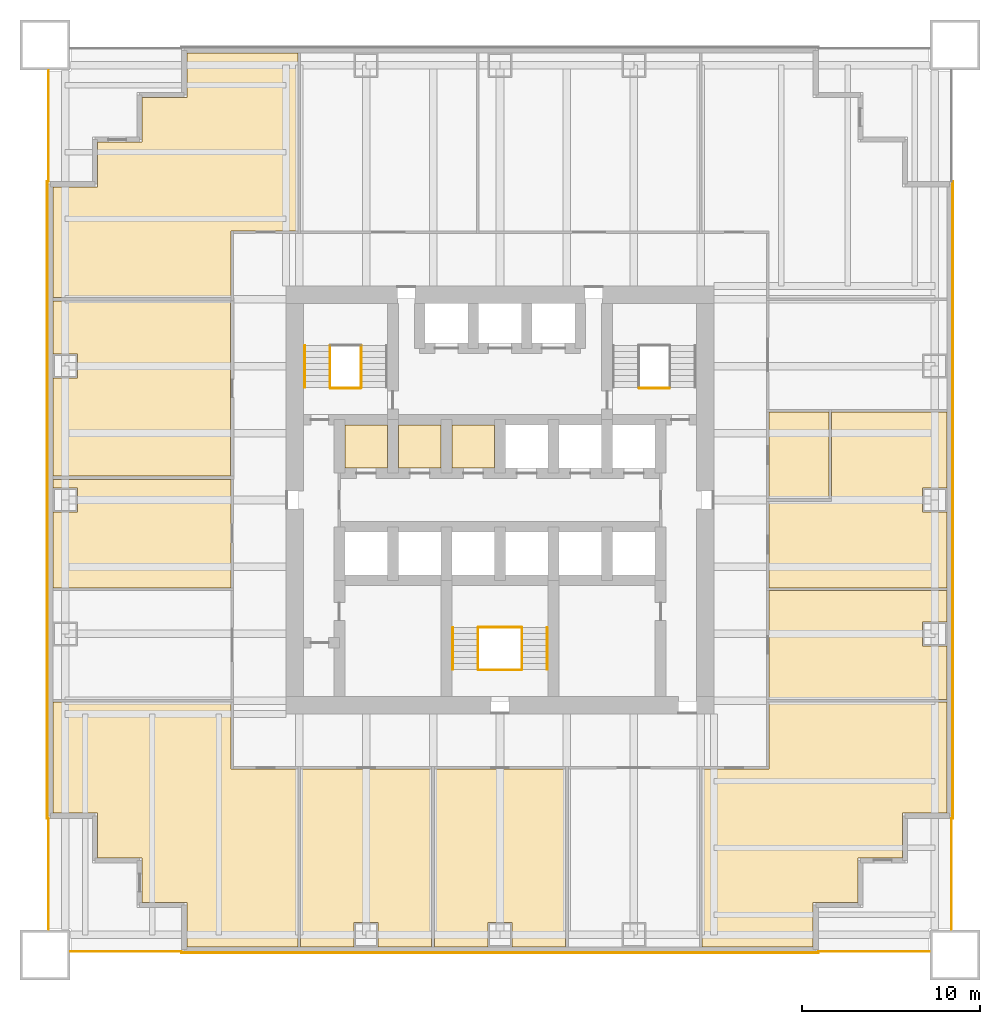
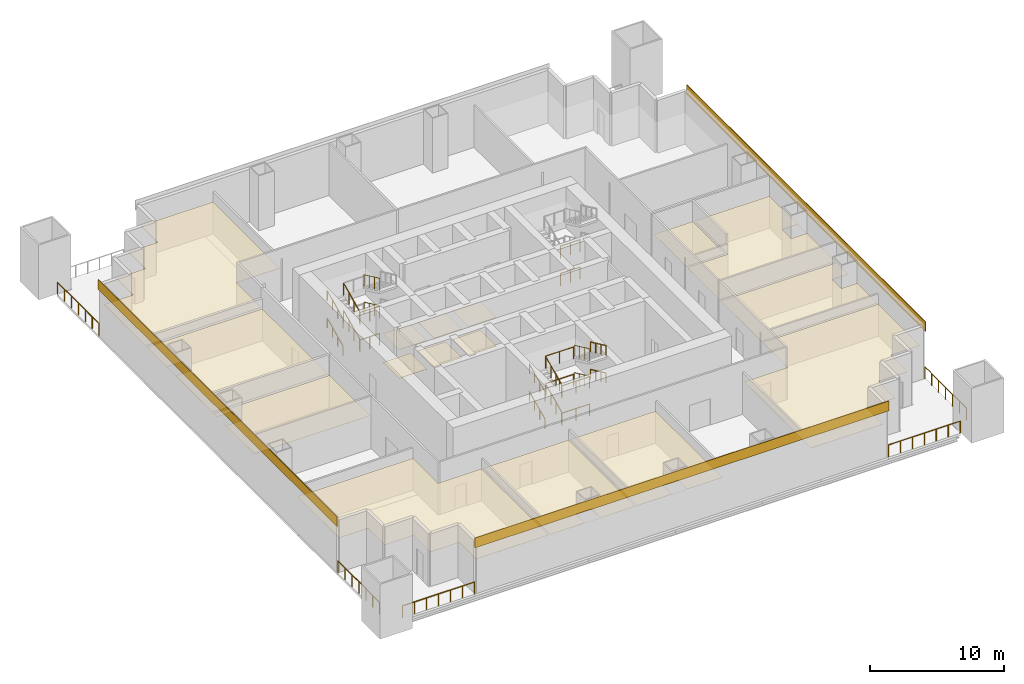
# One storey, part 5 of 6: 27 railings, 19 coverings.
"""IFC4 building model written with IfcOpenShell, lengths in metres."""

from ifc_helpers import new_model, si_unit, direction, frame, origin, origin_2d, place, context, subcontext, project, spatial, polyline, rectangle, circle, outline, extrude, material, layer, layer_set, type_object, element, save


model = new_model("IFC4")

# Units and contexts
model_context = context("Model", 3, precision=1e-05, world=origin(), true_north=direction((0.0, 1.0)))
body_context = subcontext(model_context, "Body", "Model", "MODEL_VIEW")
ifc_project = project(units=[si_unit("LENGTHUNIT", "METRE"), si_unit("AREAUNIT", "SQUARE_METRE"), si_unit("VOLUMEUNIT", "CUBIC_METRE"), si_unit("PLANEANGLEUNIT", "RADIAN"), si_unit("MASSUNIT", "GRAM", prefix="KILO")], contexts=[model_context])

# Site, building, storey
site_placement = place(None, origin())
site = spatial("IfcSite", under=ifc_project, at=site_placement, CompositionType="ELEMENT")
building_placement = place(site_placement, origin())
building = spatial("IfcBuilding", under=site, at=building_placement, Name="Tarangal Relay Tower", CompositionType="ELEMENT")
storey_placement = place(building_placement, frame((0.0, 0.0, 88.39990234375)))
storey = spatial("IfcBuildingStorey", under=building, at=storey_placement, Name="L17", CompositionType="ELEMENT", Elevation=88.39990234375)

# Coverings
ifc_material_1 = material(Name="Anti-static vinyl flooring", Category="plastic")
ifc_layer_1 = layer(ifc_material_1, 0.010009765625)
ifc_layer_set_1 = layer_set([ifc_layer_1], Name="Anti-static vinyl floor")
covering_type_1 = type_object("IfcCoveringType", Name="Anti-static vinyl floor", PredefinedType="FLOORING", material=ifc_layer_set_1)
covering_1_placement = place(storey_placement, origin())
element("IfcCovering", 1, at=covering_1_placement, inside=storey, type_object=covering_type_1, Name="Floor finish FL1 L17-D1", PredefinedType="FLOORING", context=body_context, shape_type="SweptSolid", body=[
    extrude(outline(polyline([(-8.699951171875, 1.800048828125), (-6.300048828125, 1.800048828125), (-6.300048828125, 4.199951171875), (-8.699951171875, 4.199951171875), (-8.699951171875, 1.800048828125)])), origin(), (0.0, 0.0, 1.0), 0.010009765625),
])
covering_2_placement = place(storey_placement, origin())
element("IfcCovering", 2, at=covering_2_placement, inside=storey, type_object=covering_type_1, Name="Floor finish FL1 L17-D2", PredefinedType="FLOORING", context=body_context, shape_type="SweptSolid", body=[
    extrude(outline(polyline([(-5.699951171875, 1.800048828125), (-3.300048828125, 1.800048828125), (-3.300048828125, 4.199951171875), (-5.699951171875, 4.199951171875), (-5.699951171875, 1.800048828125)])), origin(), (0.0, 0.0, 1.0), 0.010009765625),
])
covering_3_placement = place(storey_placement, origin())
element("IfcCovering", 3, at=covering_3_placement, inside=storey, type_object=covering_type_1, Name="Floor finish FL1 L17-D3", PredefinedType="FLOORING", context=body_context, shape_type="SweptSolid", body=[
    extrude(outline(polyline([(-2.699951171875, 1.800048828125), (-0.300048828125, 1.800048828125), (-0.300048828125, 4.199951171875), (-2.699951171875, 4.199951171875), (-2.699951171875, 1.800048828125)])), origin(), (0.0, 0.0, 1.0), 0.010009765625),
])
ifc_material_2 = material(Name="Black anodised aluminium cladding", Category="aluminium")
ifc_layer_2 = layer(ifc_material_2, 0.050048828125)
ifc_layer_set_2 = layer_set([ifc_layer_2], Name="Black metal spandrel band")
covering_type_2 = type_object("IfcCoveringType", Name="Black metal spandrel band", PredefinedType="CLADDING", material=ifc_layer_set_2)
for number, where, z_axis, x_axis, name in (
    (4, (25.375, 0.0, 4.250244140625), (0.0, 0.0, 1.0), (0.0, -1.0, 0.0), "Spandrel band SB1 E L17"),
    (5, (0.0, -25.375, 4.250244140625), (0.0, 0.0, 1.0), (-1.0, 0.0, 0.0), "Spandrel band SB1 S L17"),
    (6, (-25.375, 0.0, 4.250244140625), (0.0, 0.0, 1.0), (0.0, 1.0, 0.0), "Spandrel band SB1 W L17"),
):
    element("IfcCovering", number, at=place(storey_placement, frame(where, z_axis=z_axis, x_axis=x_axis)), inside=storey, type_object=covering_type_2, Name=name, PredefinedType="CLADDING", context=body_context, shape_type="SweptSolid", body=[
        extrude(rectangle(XDim=35.699951171875, YDim=0.050048828125, at=origin_2d()), origin(), (0.0, 0.0, 1.0), 0.89990234375),
    ])

# Railings
ifc_material_3 = material(Name="Steel guard, black finish", Category="steel")
railing_type_1 = type_object("IfcRailingType", Name="Stair guard 1100", PredefinedType="GUARDRAIL", material=ifc_material_3)
railing_1_placement = place(storey_placement, frame((-9.530029296875, 6.300048828125, 0.156494140625)))
element("IfcRailing", 7, at=railing_1_placement, inside=storey, type_object=railing_type_1, Name="Stair ST-A guard GR1 L17 flight 1", PredefinedType="GUARDRAIL", context=body_context, shape_type="SweptSolid", body=[
    extrude(circle(Radius=0.02392578125, at=origin_2d()), frame((0.0, 0.0, 1.076171875), z_axis=(0.0, 0.906303632821, 0.42262717037), x_axis=(-1.0, 0.0, 0.0)), (0.0, 0.0, 1.0), 2.58740234375),
    extrude(circle(Radius=0.02099609375, at=origin_2d()), origin(), (0.0, 0.0, 1.0), 1.052001953125),
    extrude(circle(Radius=0.02099609375, at=origin_2d()), frame((0.0, 0.78173828125, 0.364501953125)), (0.0, 0.0, 1.0), 1.052001953125),
    extrude(circle(Radius=0.02099609375, at=origin_2d()), frame((0.0, 1.563232421875, 0.72900390625)), (0.0, 0.0, 1.0), 1.052001953125),
    extrude(circle(Radius=0.02099609375, at=origin_2d()), frame((0.0, 2.344970703125, 1.093505859375)), (0.0, 0.0, 1.0), 1.052001953125),
])
railing_2_placement = place(storey_placement, frame((-7.77001953125, 8.64501953125, 1.406494140625)))
element("IfcRailing", 8, at=railing_2_placement, inside=storey, type_object=railing_type_1, Name="Stair ST-A guard GR1 L17 flight 2", PredefinedType="GUARDRAIL", context=body_context, shape_type="SweptSolid", body=[
    extrude(circle(Radius=0.02392578125, at=origin_2d()), frame((0.0, 0.0, 1.076171875), z_axis=(0.0, -0.906303632821, 0.42262717037), x_axis=(1.0, 0.0, 0.0)), (0.0, 0.0, 1.0), 2.58740234375),
    extrude(circle(Radius=0.02099609375, at=origin_2d()), origin(), (0.0, 0.0, 1.0), 1.052001953125),
    extrude(circle(Radius=0.02099609375, at=origin_2d()), frame((0.0, -0.78173828125, 0.364501953125)), (0.0, 0.0, 1.0), 1.052001953125),
    extrude(circle(Radius=0.02099609375, at=origin_2d()), frame((0.0, -1.563232421875, 0.72900390625)), (0.0, 0.0, 1.0), 1.052001953125),
    extrude(circle(Radius=0.02099609375, at=origin_2d()), frame((0.0, -2.344970703125, 1.093505859375)), (0.0, 0.0, 1.0), 1.052001953125),
])
railing_3_placement = place(storey_placement, frame((-9.530029296875, 6.300048828125, 2.656494140625)))
element("IfcRailing", 9, at=railing_3_placement, inside=storey, type_object=railing_type_1, Name="Stair ST-A guard GR1 L17 flight 3", PredefinedType="GUARDRAIL", context=body_context, shape_type="SweptSolid", body=[
    extrude(circle(Radius=0.02392578125, at=origin_2d()), frame((0.0, 0.0, 1.076171875), z_axis=(0.0, 0.906303632821, 0.42262717037), x_axis=(-1.0, 0.0, 0.0)), (0.0, 0.0, 1.0), 2.58740234375),
    extrude(circle(Radius=0.02099609375, at=origin_2d()), origin(), (0.0, 0.0, 1.0), 1.052001953125),
    extrude(circle(Radius=0.02099609375, at=origin_2d()), frame((0.0, 0.78173828125, 0.364501953125)), (0.0, 0.0, 1.0), 1.052001953125),
    extrude(circle(Radius=0.02099609375, at=origin_2d()), frame((0.0, 1.563232421875, 0.72900390625)), (0.0, 0.0, 1.0), 1.052001953125),
    extrude(circle(Radius=0.02099609375, at=origin_2d()), frame((0.0, 2.344970703125, 1.093505859375)), (0.0, 0.0, 1.0), 1.052001953125),
])
railing_4_placement = place(storey_placement, frame((-7.77001953125, 8.64501953125, 3.906494140625)))
element("IfcRailing", 10, at=railing_4_placement, inside=storey, type_object=railing_type_1, Name="Stair ST-A guard GR1 L17 flight 4", PredefinedType="GUARDRAIL", context=body_context, shape_type="SweptSolid", body=[
    extrude(circle(Radius=0.02392578125, at=origin_2d()), frame((0.0, 0.0, 1.076171875), z_axis=(0.0, -0.906303632821, 0.42262717037), x_axis=(1.0, 0.0, 0.0)), (0.0, 0.0, 1.0), 2.58740234375),
    extrude(circle(Radius=0.02099609375, at=origin_2d()), origin(), (0.0, 0.0, 1.0), 1.052001953125),
    extrude(circle(Radius=0.02099609375, at=origin_2d()), frame((0.0, -0.78173828125, 0.364501953125)), (0.0, 0.0, 1.0), 1.052001953125),
    extrude(circle(Radius=0.02099609375, at=origin_2d()), frame((0.0, -1.563232421875, 0.72900390625)), (0.0, 0.0, 1.0), 1.052001953125),
    extrude(circle(Radius=0.02099609375, at=origin_2d()), frame((0.0, -2.344970703125, 1.093505859375)), (0.0, 0.0, 1.0), 1.052001953125),
])
for number, where, name in (
    (11, (-9.5, 6.27001953125, 0.0), "Stair ST-A landing guard GR1 L17"),
    (12, (-9.5, 6.27001953125, 2.5), "Stair ST-A landing guard GR1 L17"),
    (13, (7.800048828125, 6.27001953125, 0.0), "Stair ST-B landing guard GR1 L17"),
    (14, (7.800048828125, 6.27001953125, 2.5), "Stair ST-B landing guard GR1 L17"),
):
    element("IfcRailing", number, at=place(storey_placement, frame(where)), inside=storey, type_object=railing_type_1, Name=name, PredefinedType="GUARDRAIL", context=body_context, shape_type="SweptSolid", body=[
        extrude(circle(Radius=0.02392578125, at=origin_2d()), frame((0.0, 0.0, 1.076171875), z_axis=(1.0, 0.0, 0.0), x_axis=(0.0, 1.0, 0.0)), (0.0, 0.0, 1.0), 1.699951171875),
        extrude(circle(Radius=0.02099609375, at=origin_2d()), origin(), (0.0, 0.0, 1.0), 1.052001953125),
        extrude(circle(Radius=0.02099609375, at=origin_2d()), frame((0.85009765625, 0.0, 0.0)), (0.0, 0.0, 1.0), 1.052001953125),
        extrude(circle(Radius=0.02099609375, at=origin_2d()), frame((1.699951171875, 0.0, 0.0)), (0.0, 0.0, 1.0), 1.052001953125),
    ])
railing_5_placement = place(storey_placement, frame((-1.22998046875, -9.5, 0.156494140625)))
element("IfcRailing", 15, at=railing_5_placement, inside=storey, type_object=railing_type_1, Name="Stair ST-C guard GR1 L17 flight 1", PredefinedType="GUARDRAIL", context=body_context, shape_type="SweptSolid", body=[
    extrude(circle(Radius=0.02392578125, at=origin_2d()), frame((0.0, 0.0, 1.076171875), z_axis=(0.0, 0.906303632821, 0.42262717037), x_axis=(-1.0, 0.0, 0.0)), (0.0, 0.0, 1.0), 2.58740234375),
    extrude(circle(Radius=0.02099609375, at=origin_2d()), origin(), (0.0, 0.0, 1.0), 1.052001953125),
    extrude(circle(Radius=0.02099609375, at=origin_2d()), frame((0.0, 0.78173828125, 0.364501953125)), (0.0, 0.0, 1.0), 1.052001953125),
    extrude(circle(Radius=0.02099609375, at=origin_2d()), frame((0.0, 1.563232421875, 0.72900390625)), (0.0, 0.0, 1.0), 1.052001953125),
    extrude(circle(Radius=0.02099609375, at=origin_2d()), frame((0.0, 2.344970703125, 1.093505859375)), (0.0, 0.0, 1.0), 1.052001953125),
])
railing_6_placement = place(storey_placement, frame((1.22998046875, -7.155029296875, 1.406494140625)))
element("IfcRailing", 16, at=railing_6_placement, inside=storey, type_object=railing_type_1, Name="Stair ST-C guard GR1 L17 flight 2", PredefinedType="GUARDRAIL", context=body_context, shape_type="SweptSolid", body=[
    extrude(circle(Radius=0.02392578125, at=origin_2d()), frame((0.0, 0.0, 1.076171875), z_axis=(0.0, -0.906303632821, 0.42262717037), x_axis=(1.0, 0.0, 0.0)), (0.0, 0.0, 1.0), 2.58740234375),
    extrude(circle(Radius=0.02099609375, at=origin_2d()), origin(), (0.0, 0.0, 1.0), 1.052001953125),
    extrude(circle(Radius=0.02099609375, at=origin_2d()), frame((0.0, -0.78173828125, 0.364501953125)), (0.0, 0.0, 1.0), 1.052001953125),
    extrude(circle(Radius=0.02099609375, at=origin_2d()), frame((0.0, -1.563232421875, 0.72900390625)), (0.0, 0.0, 1.0), 1.052001953125),
    extrude(circle(Radius=0.02099609375, at=origin_2d()), frame((0.0, -2.344970703125, 1.093505859375)), (0.0, 0.0, 1.0), 1.052001953125),
])
railing_7_placement = place(storey_placement, frame((-1.22998046875, -9.5, 2.656494140625)))
element("IfcRailing", 17, at=railing_7_placement, inside=storey, type_object=railing_type_1, Name="Stair ST-C guard GR1 L17 flight 3", PredefinedType="GUARDRAIL", context=body_context, shape_type="SweptSolid", body=[
    extrude(circle(Radius=0.02392578125, at=origin_2d()), frame((0.0, 0.0, 1.076171875), z_axis=(0.0, 0.906303632821, 0.42262717037), x_axis=(-1.0, 0.0, 0.0)), (0.0, 0.0, 1.0), 2.58740234375),
    extrude(circle(Radius=0.02099609375, at=origin_2d()), origin(), (0.0, 0.0, 1.0), 1.052001953125),
    extrude(circle(Radius=0.02099609375, at=origin_2d()), frame((0.0, 0.78173828125, 0.364501953125)), (0.0, 0.0, 1.0), 1.052001953125),
    extrude(circle(Radius=0.02099609375, at=origin_2d()), frame((0.0, 1.563232421875, 0.72900390625)), (0.0, 0.0, 1.0), 1.052001953125),
    extrude(circle(Radius=0.02099609375, at=origin_2d()), frame((0.0, 2.344970703125, 1.093505859375)), (0.0, 0.0, 1.0), 1.052001953125),
])
railing_8_placement = place(storey_placement, frame((1.22998046875, -7.155029296875, 3.906494140625)))
element("IfcRailing", 18, at=railing_8_placement, inside=storey, type_object=railing_type_1, Name="Stair ST-C guard GR1 L17 flight 4", PredefinedType="GUARDRAIL", context=body_context, shape_type="SweptSolid", body=[
    extrude(circle(Radius=0.02392578125, at=origin_2d()), frame((0.0, 0.0, 1.076171875), z_axis=(0.0, -0.906303632821, 0.42262717037), x_axis=(1.0, 0.0, 0.0)), (0.0, 0.0, 1.0), 2.58740234375),
    extrude(circle(Radius=0.02099609375, at=origin_2d()), origin(), (0.0, 0.0, 1.0), 1.052001953125),
    extrude(circle(Radius=0.02099609375, at=origin_2d()), frame((0.0, -0.78173828125, 0.364501953125)), (0.0, 0.0, 1.0), 1.052001953125),
    extrude(circle(Radius=0.02099609375, at=origin_2d()), frame((0.0, -1.563232421875, 0.72900390625)), (0.0, 0.0, 1.0), 1.052001953125),
    extrude(circle(Radius=0.02099609375, at=origin_2d()), frame((0.0, -2.344970703125, 1.093505859375)), (0.0, 0.0, 1.0), 1.052001953125),
])
for number, where, name in (
    (19, (-1.199951171875, -9.530029296875, 0.0), "Stair ST-C landing guard GR1 L17"),
    (20, (-1.199951171875, -7.125, 1.25), "Stair ST-C landing guard GR1 L17"),
    (21, (-1.199951171875, -9.530029296875, 2.5), "Stair ST-C landing guard GR1 L17"),
    (22, (-1.199951171875, -7.125, 3.75), "Stair ST-C landing guard GR1 L17"),
):
    element("IfcRailing", number, at=place(storey_placement, frame(where)), inside=storey, type_object=railing_type_1, Name=name, PredefinedType="GUARDRAIL", context=body_context, shape_type="SweptSolid", body=[
        extrude(circle(Radius=0.02392578125, at=origin_2d()), frame((0.0, 0.0, 1.076171875), z_axis=(1.0, 0.0, 0.0), x_axis=(0.0, 1.0, 0.0)), (0.0, 0.0, 1.0), 2.39990234375),
        extrude(circle(Radius=0.02099609375, at=origin_2d()), origin(), (0.0, 0.0, 1.0), 1.052001953125),
        extrude(circle(Radius=0.02099609375, at=origin_2d()), frame((1.199951171875, 0.0, 0.0)), (0.0, 0.0, 1.0), 1.052001953125),
        extrude(circle(Radius=0.02099609375, at=origin_2d()), frame((2.39990234375, 0.0, 0.0)), (0.0, 0.0, 1.0), 1.052001953125),
    ])
ifc_material_4 = material(Name="Steel handrail, black finish", Category="steel")
railing_type_2 = type_object("IfcRailingType", Name="Stair handrail 900", PredefinedType="HANDRAIL", material=ifc_material_4)
for number, where, name in (
    (23, (-10.93994140625, 6.300048828125, 0.156494140625), "Stair ST-A handrail HR1 L17 flight 1"),
    (24, (-10.93994140625, 6.300048828125, 2.656494140625), "Stair ST-A handrail HR1 L17 flight 3"),
    (25, (-2.639892578125, -9.5, 0.156494140625), "Stair ST-C handrail HR1 L17 flight 1"),
):
    element("IfcRailing", number, at=place(storey_placement, frame(where)), inside=storey, type_object=railing_type_2, Name=name, PredefinedType="HANDRAIL", context=body_context, shape_type="SweptSolid", body=[
        extrude(circle(Radius=0.02392578125, at=origin_2d()), frame((0.0, 0.0, 0.8759765625), z_axis=(0.0, 0.906303632821, 0.42262717037), x_axis=(-1.0, 0.0, 0.0)), (0.0, 0.0, 1.0), 2.58740234375),
        extrude(circle(Radius=0.02099609375, at=origin_2d()), origin(), (0.0, 0.0, 1.0), 0.851806640625),
        extrude(circle(Radius=0.02099609375, at=origin_2d()), frame((0.0, 0.78173828125, 0.364501953125)), (0.0, 0.0, 1.0), 0.851806640625),
        extrude(circle(Radius=0.02099609375, at=origin_2d()), frame((0.0, 1.563232421875, 0.72900390625)), (0.0, 0.0, 1.0), 0.851806640625),
        extrude(circle(Radius=0.02099609375, at=origin_2d()), frame((0.0, 2.344970703125, 1.093505859375)), (0.0, 0.0, 1.0), 0.851806640625),
    ])
railing_9_placement = place(storey_placement, frame((2.639892578125, -7.155029296875, 1.406494140625)))
element("IfcRailing", 26, at=railing_9_placement, inside=storey, type_object=railing_type_2, Name="Stair ST-C handrail HR1 L17 flight 2", PredefinedType="HANDRAIL", context=body_context, shape_type="SweptSolid", body=[
    extrude(circle(Radius=0.02392578125, at=origin_2d()), frame((0.0, 0.0, 0.8759765625), z_axis=(0.0, -0.906303632821, 0.42262717037), x_axis=(1.0, 0.0, 0.0)), (0.0, 0.0, 1.0), 2.58740234375),
    extrude(circle(Radius=0.02099609375, at=origin_2d()), origin(), (0.0, 0.0, 1.0), 0.851806640625),
    extrude(circle(Radius=0.02099609375, at=origin_2d()), frame((0.0, -0.78173828125, 0.364501953125)), (0.0, 0.0, 1.0), 0.851806640625),
    extrude(circle(Radius=0.02099609375, at=origin_2d()), frame((0.0, -1.563232421875, 0.72900390625)), (0.0, 0.0, 1.0), 0.851806640625),
    extrude(circle(Radius=0.02099609375, at=origin_2d()), frame((0.0, -2.344970703125, 1.093505859375)), (0.0, 0.0, 1.0), 0.851806640625),
])
railing_10_placement = place(storey_placement, frame((-2.639892578125, -9.5, 2.656494140625)))
element("IfcRailing", 27, at=railing_10_placement, inside=storey, type_object=railing_type_2, Name="Stair ST-C handrail HR1 L17 flight 3", PredefinedType="HANDRAIL", context=body_context, shape_type="SweptSolid", body=[
    extrude(circle(Radius=0.02392578125, at=origin_2d()), frame((0.0, 0.0, 0.8759765625), z_axis=(0.0, 0.906303632821, 0.42262717037), x_axis=(-1.0, 0.0, 0.0)), (0.0, 0.0, 1.0), 2.58740234375),
    extrude(circle(Radius=0.02099609375, at=origin_2d()), origin(), (0.0, 0.0, 1.0), 0.851806640625),
    extrude(circle(Radius=0.02099609375, at=origin_2d()), frame((0.0, 0.78173828125, 0.364501953125)), (0.0, 0.0, 1.0), 0.851806640625),
    extrude(circle(Radius=0.02099609375, at=origin_2d()), frame((0.0, 1.563232421875, 0.72900390625)), (0.0, 0.0, 1.0), 0.851806640625),
    extrude(circle(Radius=0.02099609375, at=origin_2d()), frame((0.0, 2.344970703125, 1.093505859375)), (0.0, 0.0, 1.0), 0.851806640625),
])
railing_11_placement = place(storey_placement, frame((2.639892578125, -7.155029296875, 3.906494140625)))
element("IfcRailing", 28, at=railing_11_placement, inside=storey, type_object=railing_type_2, Name="Stair ST-C handrail HR1 L17 flight 4", PredefinedType="HANDRAIL", context=body_context, shape_type="SweptSolid", body=[
    extrude(circle(Radius=0.02392578125, at=origin_2d()), frame((0.0, 0.0, 0.8759765625), z_axis=(0.0, -0.906303632821, 0.42262717037), x_axis=(1.0, 0.0, 0.0)), (0.0, 0.0, 1.0), 2.58740234375),
    extrude(circle(Radius=0.02099609375, at=origin_2d()), origin(), (0.0, 0.0, 1.0), 0.851806640625),
    extrude(circle(Radius=0.02099609375, at=origin_2d()), frame((0.0, -0.78173828125, 0.364501953125)), (0.0, 0.0, 1.0), 0.851806640625),
    extrude(circle(Radius=0.02099609375, at=origin_2d()), frame((0.0, -1.563232421875, 0.72900390625)), (0.0, 0.0, 1.0), 0.851806640625),
    extrude(circle(Radius=0.02099609375, at=origin_2d()), frame((0.0, -2.344970703125, 1.093505859375)), (0.0, 0.0, 1.0), 0.851806640625),
])

# Coverings
ifc_material_5 = material(Name="Mineral fibre ceiling tiles", Category="gypsum")
ifc_layer_3 = layer(ifc_material_5, 0.02001953125)
ifc_layer_set_3 = layer_set([ifc_layer_3], Name="Suspended ceiling")
covering_type_3 = type_object("IfcCoveringType", Name="Suspended ceiling", PredefinedType="CEILING", material=ifc_layer_set_3)
covering_4_placement = place(storey_placement, frame((0.0, 0.0, 2.60009765625)))
element("IfcCovering", 29, at=covering_4_placement, inside=storey, type_object=covering_type_3, Name="Suspended ceiling CL1 L17-D1", PredefinedType="CEILING", context=body_context, shape_type="SweptSolid", body=[
    extrude(outline(polyline([(-8.699951171875, 1.800048828125), (-6.300048828125, 1.800048828125), (-6.300048828125, 4.199951171875), (-8.699951171875, 4.199951171875), (-8.699951171875, 1.800048828125)])), origin(), (0.0, 0.0, 1.0), 0.02001953125),
])
covering_5_placement = place(storey_placement, frame((0.0, 0.0, 2.60009765625)))
element("IfcCovering", 30, at=covering_5_placement, inside=storey, type_object=covering_type_3, Name="Suspended ceiling CL1 L17-D2", PredefinedType="CEILING", context=body_context, shape_type="SweptSolid", body=[
    extrude(outline(polyline([(-5.699951171875, 1.800048828125), (-3.300048828125, 1.800048828125), (-3.300048828125, 4.199951171875), (-5.699951171875, 4.199951171875), (-5.699951171875, 1.800048828125)])), origin(), (0.0, 0.0, 1.0), 0.02001953125),
])
covering_6_placement = place(storey_placement, frame((0.0, 0.0, 2.60009765625)))
element("IfcCovering", 31, at=covering_6_placement, inside=storey, type_object=covering_type_3, Name="Suspended ceiling CL1 L17-D3", PredefinedType="CEILING", context=body_context, shape_type="SweptSolid", body=[
    extrude(outline(polyline([(-2.699951171875, 1.800048828125), (-0.300048828125, 1.800048828125), (-0.300048828125, 4.199951171875), (-2.699951171875, 4.199951171875), (-2.699951171875, 1.800048828125)])), origin(), (0.0, 0.0, 1.0), 0.02001953125),
])
covering_7_placement = place(storey_placement, frame((0.0, 0.0, 2.900146484375)))
element("IfcCovering", 32, at=covering_7_placement, inside=storey, type_object=covering_type_3, Name="Suspended ceiling CL1 L17-05", PredefinedType="CEILING", context=body_context, shape_type="SweptSolid", body=[
    extrude(outline(polyline([(18.425048828125, 4.925048828125), (15.074951171875, 4.925048828125), (15.074951171875, 0.074951171875), (18.425048828125, 0.074951171875), (18.425048828125, 4.925048828125)])), origin(), (0.0, 0.0, 1.0), 0.02001953125),
])
covering_8_placement = place(storey_placement, frame((0.0, 0.0, 2.900146484375)))
element("IfcCovering", 33, at=covering_8_placement, inside=storey, type_object=covering_type_3, Name="Suspended ceiling CL1 L17-06", PredefinedType="CEILING", context=body_context, shape_type="SweptSolid", body=[
    extrude(outline(polyline([(25.050048828125, -4.925048828125), (25.050048828125, 4.925048828125), (18.574951171875, 4.925048828125), (18.574951171875, -0.074951171875), (15.074951171875, -0.074951171875), (15.074951171875, -4.925048828125), (25.050048828125, -4.925048828125)]), holes=[polyline([(25.0400390625, 0.675048828125), (23.68994140625, 0.675048828125), (23.68994140625, -0.675048828125), (25.0400390625, -0.675048828125), (25.0400390625, 0.675048828125)])]), origin(), (0.0, 0.0, 1.0), 0.02001953125),
])
covering_9_placement = place(storey_placement, frame((0.0, 0.0, 2.900146484375)))
element("IfcCovering", 34, at=covering_9_placement, inside=storey, type_object=covering_type_3, Name="Suspended ceiling CL1 L17-07", PredefinedType="CEILING", context=body_context, shape_type="SweptSolid", body=[
    extrude(outline(polyline([(25.050048828125, -11.175048828125), (25.050048828125, -5.074951171875), (15.074951171875, -5.074951171875), (15.074951171875, -11.175048828125), (25.050048828125, -11.175048828125)]), holes=[polyline([(25.0400390625, -6.824951171875), (23.68994140625, -6.824951171875), (23.68994140625, -8.175048828125), (25.0400390625, -8.175048828125), (25.0400390625, -6.824951171875)])]), origin(), (0.0, 0.0, 1.0), 0.02001953125),
])
covering_10_placement = place(storey_placement, frame((0.0, 0.0, 2.900146484375)))
element("IfcCovering", 35, at=covering_10_placement, inside=storey, type_object=covering_type_3, Name="Suspended ceiling CL1 L17-09", PredefinedType="CEILING", context=body_context, shape_type="SweptSolid", body=[
    extrude(outline(polyline([(-3.675048828125, -25.050048828125), (3.675048828125, -25.050048828125), (3.675048828125, -15.074951171875), (-3.675048828125, -15.074951171875), (-3.675048828125, -25.050048828125)]), holes=[polyline([(0.675048828125, -23.68994140625), (-0.675048828125, -23.68994140625), (-0.675048828125, -25.0400390625), (0.675048828125, -25.0400390625), (0.675048828125, -23.68994140625)])]), origin(), (0.0, 0.0, 1.0), 0.02001953125),
])
covering_11_placement = place(storey_placement, frame((0.0, 0.0, 2.900146484375)))
element("IfcCovering", 36, at=covering_11_placement, inside=storey, type_object=covering_type_3, Name="Suspended ceiling CL1 L17-10", PredefinedType="CEILING", context=body_context, shape_type="SweptSolid", body=[
    extrude(outline(polyline([(-11.175048828125, -25.050048828125), (-3.824951171875, -25.050048828125), (-3.824951171875, -15.074951171875), (-11.175048828125, -15.074951171875), (-11.175048828125, -25.050048828125)]), holes=[polyline([(-6.824951171875, -23.68994140625), (-8.175048828125, -23.68994140625), (-8.175048828125, -25.0400390625), (-6.824951171875, -25.0400390625), (-6.824951171875, -23.68994140625)])]), origin(), (0.0, 0.0, 1.0), 0.02001953125),
])
covering_12_placement = place(storey_placement, frame((0.0, 0.0, 2.900146484375)))
element("IfcCovering", 37, at=covering_12_placement, inside=storey, type_object=covering_type_3, Name="Suspended ceiling CL1 L17-12", PredefinedType="CEILING", context=body_context, shape_type="SweptSolid", body=[
    extrude(outline(polyline([(-25.050048828125, -4.925048828125), (-15.074951171875, -4.925048828125), (-15.074951171875, 1.14990234375), (-25.050048828125, 1.14990234375), (-25.050048828125, -4.925048828125)]), holes=[polyline([(-23.68994140625, 0.675048828125), (-25.0400390625, 0.675048828125), (-25.0400390625, -0.675048828125), (-23.68994140625, -0.675048828125), (-23.68994140625, 0.675048828125)])]), origin(), (0.0, 0.0, 1.0), 0.02001953125),
])
covering_13_placement = place(storey_placement, frame((0.0, 0.0, 2.900146484375)))
element("IfcCovering", 38, at=covering_13_placement, inside=storey, type_object=covering_type_3, Name="Suspended ceiling CL1 L17-13", PredefinedType="CEILING", context=body_context, shape_type="SweptSolid", body=[
    extrude(outline(polyline([(-25.050048828125, 11.14990234375), (-25.050048828125, 1.35009765625), (-15.10009765625, 1.35009765625), (-15.10009765625, 11.14990234375), (-25.050048828125, 11.14990234375)]), holes=[polyline([(-23.68994140625, 8.175048828125), (-25.0400390625, 8.175048828125), (-25.0400390625, 6.824951171875), (-23.68994140625, 6.824951171875), (-23.68994140625, 8.175048828125)])]), origin(), (0.0, 0.0, 1.0), 0.02001953125),
])
covering_14_placement = place(storey_placement, frame((0.0, 0.0, 2.900146484375)))
element("IfcCovering", 39, at=covering_14_placement, inside=storey, type_object=covering_type_3, Name="Suspended ceiling CL1 L17-15", PredefinedType="CEILING", context=body_context, shape_type="SweptSolid", body=[
    extrude(outline(polyline([(25.050048828125, -17.550048828125), (25.050048828125, -11.324951171875), (15.074951171875, -11.324951171875), (15.074951171875, -15.074951171875), (11.324951171875, -15.074951171875), (11.324951171875, -25.050048828125), (17.550048828125, -25.050048828125), (17.550048828125, -22.550048828125), (20.050048828125, -22.550048828125), (20.050048828125, -20.050048828125), (22.550048828125, -20.050048828125), (22.550048828125, -17.550048828125), (25.050048828125, -17.550048828125)])), origin(), (0.0, 0.0, 1.0), 0.02001953125),
])
covering_15_placement = place(storey_placement, frame((0.0, 0.0, 2.900146484375)))
element("IfcCovering", 40, at=covering_15_placement, inside=storey, type_object=covering_type_3, Name="Suspended ceiling CL1 L17-16", PredefinedType="CEILING", context=body_context, shape_type="SweptSolid", body=[
    extrude(outline(polyline([(-17.550048828125, -22.550048828125), (-17.550048828125, -25.050048828125), (-11.324951171875, -25.050048828125), (-11.324951171875, -15.074951171875), (-15.074951171875, -15.074951171875), (-15.074951171875, -11.324951171875), (-25.050048828125, -11.324951171875), (-25.050048828125, -17.550048828125), (-22.550048828125, -17.550048828125), (-22.550048828125, -20.050048828125), (-20.050048828125, -20.050048828125), (-20.050048828125, -22.550048828125), (-17.550048828125, -22.550048828125)])), origin(), (0.0, 0.0, 1.0), 0.02001953125),
])
covering_16_placement = place(storey_placement, frame((0.0, 0.0, 2.900146484375)))
element("IfcCovering", 41, at=covering_16_placement, inside=storey, type_object=covering_type_3, Name="Suspended ceiling CL1 L17-17", PredefinedType="CEILING", context=body_context, shape_type="SweptSolid", body=[
    extrude(outline(polyline([(-22.550048828125, 17.550048828125), (-25.050048828125, 17.550048828125), (-25.050048828125, 11.35009765625), (-15.074951171875, 11.35009765625), (-15.074951171875, 15.074951171875), (-11.324951171875, 15.074951171875), (-11.324951171875, 25.050048828125), (-17.550048828125, 25.050048828125), (-17.550048828125, 22.550048828125), (-20.050048828125, 22.550048828125), (-20.050048828125, 20.050048828125), (-22.550048828125, 20.050048828125), (-22.550048828125, 17.550048828125)])), origin(), (0.0, 0.0, 1.0), 0.02001953125),
])

# Railings
ifc_material_6 = material(Name="Black steel guard with glass infill", Category="steel")
railing_type_3 = type_object("IfcRailingType", Name="Terrace guard 1100", PredefinedType="GUARDRAIL", material=ifc_material_6)
railing_12_placement = place(storey_placement, frame((25.300048828125, -17.85009765625, 0.0)))
element("IfcRailing", 42, at=railing_12_placement, inside=storey, type_object=railing_type_3, Name="Terrace guard GR2 SE L17", PredefinedType="GUARDRAIL", context=body_context, shape_type="SweptSolid", body=[
    extrude(circle(Radius=0.02392578125, at=origin_2d()), frame((0.0, 0.0, 1.076171875), z_axis=(0.0, -1.0, 0.0), x_axis=(1.0, 0.0, 0.0)), (0.0, 0.0, 1.0), 6.199951171875),
    extrude(circle(Radius=0.02099609375, at=origin_2d()), origin(), (0.0, 0.0, 1.0), 1.052001953125),
    extrude(circle(Radius=0.02099609375, at=origin_2d()), frame((0.0, -1.033203125, 0.0)), (0.0, 0.0, 1.0), 1.052001953125),
    extrude(circle(Radius=0.02099609375, at=origin_2d()), frame((0.0, -2.066650390625, 0.0)), (0.0, 0.0, 1.0), 1.052001953125),
    extrude(circle(Radius=0.02099609375, at=origin_2d()), frame((0.0, -3.10009765625, 0.0)), (0.0, 0.0, 1.0), 1.052001953125),
    extrude(circle(Radius=0.02099609375, at=origin_2d()), frame((0.0, -4.13330078125, 0.0)), (0.0, 0.0, 1.0), 1.052001953125),
    extrude(circle(Radius=0.02099609375, at=origin_2d()), frame((0.0, -5.16650390625, 0.0)), (0.0, 0.0, 1.0), 1.052001953125),
    extrude(circle(Radius=0.02099609375, at=origin_2d()), frame((0.0, -6.199951171875, 0.0)), (0.0, 0.0, 1.0), 1.052001953125),
])
for number, where, name in (
    (43, (24.050048828125, -25.300048828125, 0.0), "Terrace guard GR2 SE L17"),
    (44, (-17.85009765625, -25.300048828125, 0.0), "Terrace guard GR2 SW L17"),
):
    element("IfcRailing", number, at=place(storey_placement, frame(where)), inside=storey, type_object=railing_type_3, Name=name, PredefinedType="GUARDRAIL", context=body_context, shape_type="SweptSolid", body=[
        extrude(circle(Radius=0.02392578125, at=origin_2d()), frame((0.0, 0.0, 1.076171875), z_axis=(-1.0, 0.0, 0.0), x_axis=(0.0, -1.0, 0.0)), (0.0, 0.0, 1.0), 6.199951171875),
        extrude(circle(Radius=0.02099609375, at=origin_2d()), origin(), (0.0, 0.0, 1.0), 1.052001953125),
        extrude(circle(Radius=0.02099609375, at=origin_2d()), frame((-1.033203125, 0.0, 0.0)), (0.0, 0.0, 1.0), 1.052001953125),
        extrude(circle(Radius=0.02099609375, at=origin_2d()), frame((-2.066650390625, 0.0, 0.0)), (0.0, 0.0, 1.0), 1.052001953125),
        extrude(circle(Radius=0.02099609375, at=origin_2d()), frame((-3.10009765625, 0.0, 0.0)), (0.0, 0.0, 1.0), 1.052001953125),
        extrude(circle(Radius=0.02099609375, at=origin_2d()), frame((-4.13330078125, 0.0, 0.0)), (0.0, 0.0, 1.0), 1.052001953125),
        extrude(circle(Radius=0.02099609375, at=origin_2d()), frame((-5.16650390625, 0.0, 0.0)), (0.0, 0.0, 1.0), 1.052001953125),
        extrude(circle(Radius=0.02099609375, at=origin_2d()), frame((-6.199951171875, 0.0, 0.0)), (0.0, 0.0, 1.0), 1.052001953125),
    ])
for number, where, name in (
    (45, (-25.300048828125, -24.050048828125, 0.0), "Terrace guard GR2 SW L17"),
    (46, (-25.300048828125, 17.85009765625, 0.0), "Terrace guard GR2 NW L17"),
):
    element("IfcRailing", number, at=place(storey_placement, frame(where)), inside=storey, type_object=railing_type_3, Name=name, PredefinedType="GUARDRAIL", context=body_context, shape_type="SweptSolid", body=[
        extrude(circle(Radius=0.02392578125, at=origin_2d()), frame((0.0, 0.0, 1.076171875), z_axis=(0.0, 1.0, 0.0), x_axis=(-1.0, 0.0, 0.0)), (0.0, 0.0, 1.0), 6.199951171875),
        extrude(circle(Radius=0.02099609375, at=origin_2d()), origin(), (0.0, 0.0, 1.0), 1.052001953125),
        extrude(circle(Radius=0.02099609375, at=origin_2d()), frame((0.0, 1.033203125, 0.0)), (0.0, 0.0, 1.0), 1.052001953125),
        extrude(circle(Radius=0.02099609375, at=origin_2d()), frame((0.0, 2.066650390625, 0.0)), (0.0, 0.0, 1.0), 1.052001953125),
        extrude(circle(Radius=0.02099609375, at=origin_2d()), frame((0.0, 3.10009765625, 0.0)), (0.0, 0.0, 1.0), 1.052001953125),
        extrude(circle(Radius=0.02099609375, at=origin_2d()), frame((0.0, 4.13330078125, 0.0)), (0.0, 0.0, 1.0), 1.052001953125),
        extrude(circle(Radius=0.02099609375, at=origin_2d()), frame((0.0, 5.16650390625, 0.0)), (0.0, 0.0, 1.0), 1.052001953125),
        extrude(circle(Radius=0.02099609375, at=origin_2d()), frame((0.0, 6.199951171875, 0.0)), (0.0, 0.0, 1.0), 1.052001953125),
    ])

save(model, "model.ifc")
